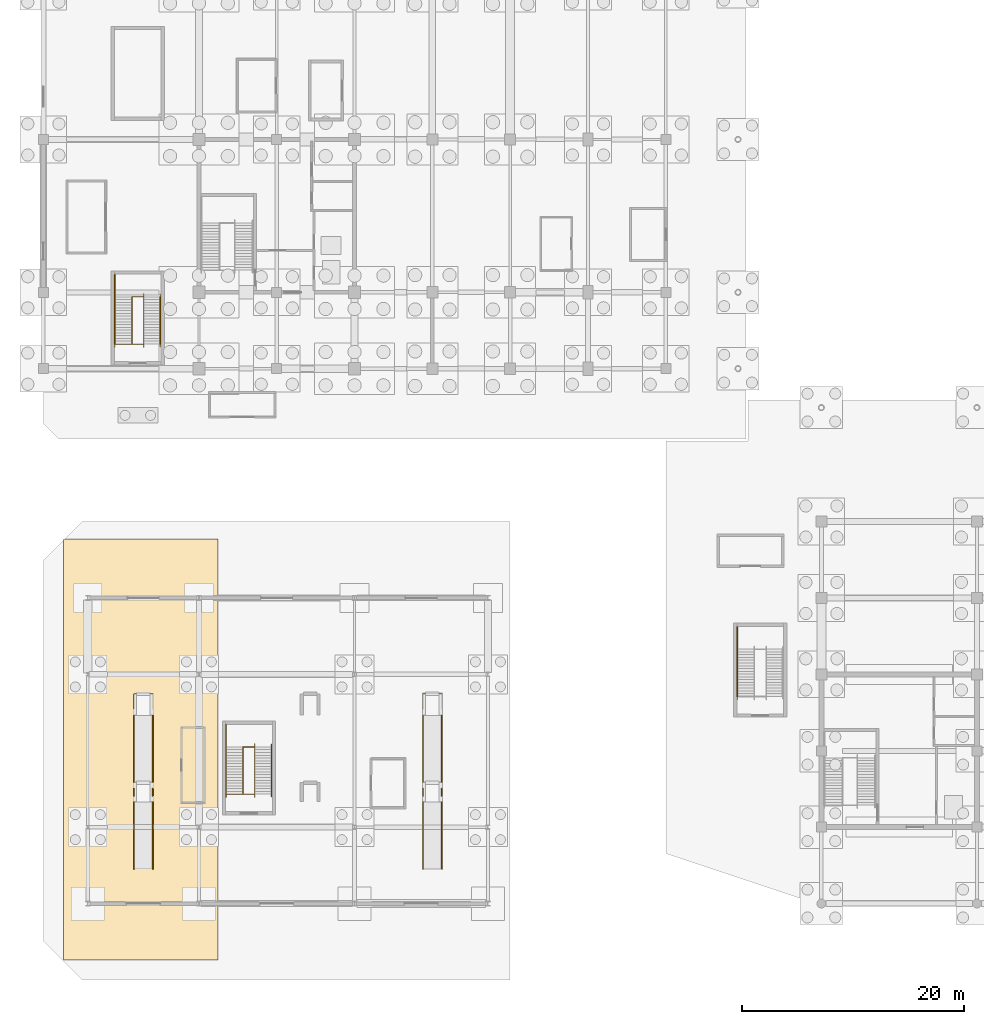
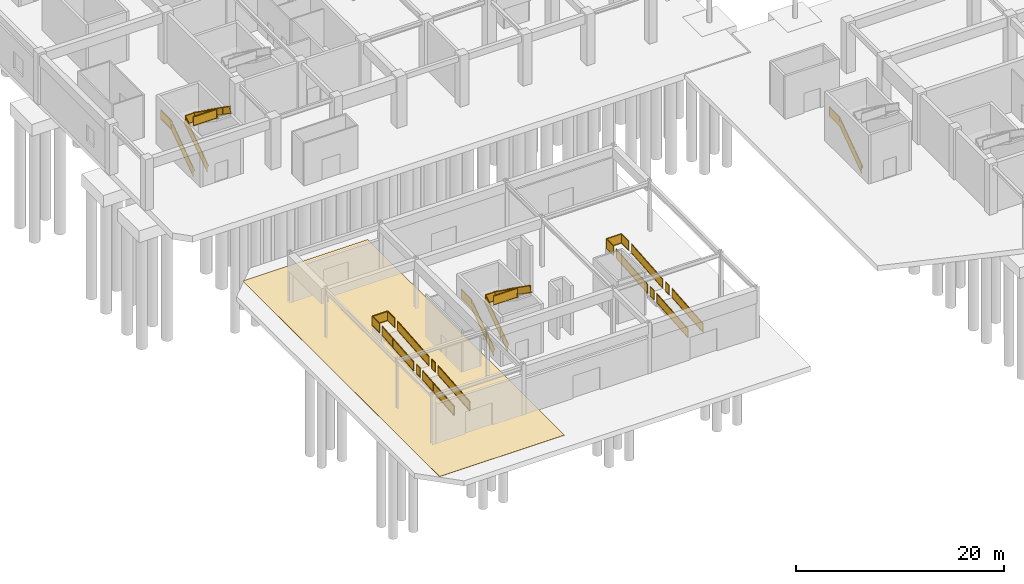
# One storey, part 55 of 62: 21 railings, 1 covering.
"""IFC4 building model written with IfcOpenShell, lengths in metres."""

from ifc_helpers import new_model, si_unit, direction, frame, origin, origin_2d, place, context, subcontext, project, spatial, polyline, rectangle, outline, extrude, material, layer, layer_set, type_object, element, save


model = new_model("IFC4")

# Units and contexts
model_context = context("Model", 3, precision=1e-05, world=origin(), true_north=direction((0.0, 1.0)))
body_context = subcontext(model_context, "Body", "Model", "MODEL_VIEW")
ifc_project = project(units=[si_unit("LENGTHUNIT", "METRE"), si_unit("AREAUNIT", "SQUARE_METRE"), si_unit("VOLUMEUNIT", "CUBIC_METRE"), si_unit("PLANEANGLEUNIT", "RADIAN"), si_unit("MASSUNIT", "GRAM", prefix="KILO")], contexts=[model_context])

# Site, building, storey
site_placement = place(None, origin())
site = spatial("IfcSite", under=ifc_project, at=site_placement, CompositionType="ELEMENT")
building_placement = place(site_placement, origin())
building = spatial("IfcBuilding", under=site, at=building_placement, Name="Linyun Crest Stadium", CompositionType="ELEMENT")
storey_placement = place(building_placement, frame((0.0, 0.0, -6.0)))
storey = spatial("IfcBuildingStorey", under=building, at=storey_placement, Name="B1", CompositionType="ELEMENT", Elevation=-6.0)

# Covering
ifc_material_1 = material(Name="Polymeric cushioned multi-sport athletic flooring")
ifc_layer = layer(ifc_material_1, 0.01806640625)
ifc_layer_set = layer_set([ifc_layer], Name="Polymeric cushioned multi-sport athletic flooring")
covering_type = type_object("IfcCoveringType", Name="FLR01", PredefinedType="FLOORING", material=ifc_layer_set)
covering_placement = place(storey_placement, origin())
element("IfcCovering", 1, at=covering_placement, inside=storey, type_object=covering_type, Name="Athletic flooring FLR01 7", PredefinedType="FLOORING", context=body_context, shape_type="SweptSolid", body=[
    extrude(outline(polyline([(-96.199951171875, -99.199951171875), (-82.300048828125, -99.199951171875), (-82.300048828125, -61.300048828125), (-96.199951171875, -61.300048828125), (-96.199951171875, -99.199951171875)])), origin(), (0.0, 0.0, 1.0), 0.01806640625),
])

# Railings
ifc_material_2 = material(Name="Verdigris painted steel botanical balustrade", Category="steel")
railing_type_1 = type_object("IfcRailingType", Name="GR01", PredefinedType="BALUSTRADE", material=ifc_material_2)
railing_1_placement = place(storey_placement, frame((-89.840087890625, -84.422119140625, 0.5)))
element("IfcRailing", 2, at=railing_1_placement, inside=storey, type_object=railing_type_1, Name="Slab edge balustrade GR01 388", PredefinedType="BALUSTRADE", context=body_context, shape_type="SweptSolid", body=[
    extrude(rectangle(XDim=0.06005859375, YDim=0.06005859375, at=origin_2d()), frame((0.0, 0.0, 1.119873046875), z_axis=(0.0, 1.0, 0.0), x_axis=(-1.0, 0.0, 0.0)), (0.0, 0.0, 1.0), 0.64404296875),
    extrude(rectangle(XDim=0.030029296875, YDim=1.02978515625, at=origin_2d()), frame((0.0, 0.0, 0.574951171875), z_axis=(0.0, 1.0, 0.0), x_axis=(-1.0, 0.0, 0.0)), (0.0, 0.0, 1.0), 0.64404296875),
    extrude(rectangle(XDim=0.06005859375, YDim=0.06005859375, at=origin_2d()), frame((0.0, 0.0, 0.030029296875), z_axis=(0.0, 1.0, 0.0), x_axis=(-1.0, 0.0, 0.0)), (0.0, 0.0, 1.0), 0.64404296875),
    extrude(rectangle(XDim=0.050048828125, YDim=0.050048828125, at=origin_2d()), origin(), (0.0, 0.0, 1.0), 1.14990234375),
    extrude(rectangle(XDim=0.050048828125, YDim=0.050048828125, at=origin_2d()), frame((0.0, 0.64404296875, 0.0)), (0.0, 0.0, 1.0), 1.14990234375),
])
railing_2_placement = place(storey_placement, frame((-88.159912109375, -83.778076171875, 0.5)))
element("IfcRailing", 3, at=railing_2_placement, inside=storey, type_object=railing_type_1, Name="Slab edge balustrade GR01 389", PredefinedType="BALUSTRADE", context=body_context, shape_type="SweptSolid", body=[
    extrude(rectangle(XDim=0.06005859375, YDim=0.06005859375, at=origin_2d()), frame((0.0, 0.0, 1.119873046875), z_axis=(0.0, -1.0, 0.0), x_axis=(1.0, 0.0, 0.0)), (0.0, 0.0, 1.0), 0.64404296875),
    extrude(rectangle(XDim=0.030029296875, YDim=1.02978515625, at=origin_2d()), frame((0.0, 0.0, 0.574951171875), z_axis=(0.0, -1.0, 0.0), x_axis=(1.0, 0.0, 0.0)), (0.0, 0.0, 1.0), 0.64404296875),
    extrude(rectangle(XDim=0.06005859375, YDim=0.06005859375, at=origin_2d()), frame((0.0, 0.0, 0.030029296875), z_axis=(0.0, -1.0, 0.0), x_axis=(1.0, 0.0, 0.0)), (0.0, 0.0, 1.0), 0.64404296875),
    extrude(rectangle(XDim=0.050048828125, YDim=0.050048828125, at=origin_2d()), origin(), (0.0, 0.0, 1.0), 1.14990234375),
    extrude(rectangle(XDim=0.050048828125, YDim=0.050048828125, at=origin_2d()), frame((0.0, -0.64404296875, 0.0)), (0.0, 0.0, 1.0), 1.14990234375),
])
railing_3_placement = place(storey_placement, frame((-89.840087890625, -76.6220703125, 1.0)))
element("IfcRailing", 4, at=railing_3_placement, inside=storey, type_object=railing_type_1, Name="Slab edge balustrade GR01 390", PredefinedType="BALUSTRADE", context=body_context, shape_type="SweptSolid", body=[
    extrude(rectangle(XDim=0.06005859375, YDim=0.06005859375, at=origin_2d()), frame((0.0, 0.0, 1.119873046875), z_axis=(0.0, 1.0, 0.0), x_axis=(-1.0, 0.0, 0.0)), (0.0, 0.0, 1.0), 1.362060546875),
    extrude(rectangle(XDim=0.030029296875, YDim=1.02978515625, at=origin_2d()), frame((0.0, 0.0, 0.574951171875), z_axis=(0.0, 1.0, 0.0), x_axis=(-1.0, 0.0, 0.0)), (0.0, 0.0, 1.0), 1.362060546875),
    extrude(rectangle(XDim=0.06005859375, YDim=0.06005859375, at=origin_2d()), frame((0.0, 0.0, 0.030029296875), z_axis=(0.0, 1.0, 0.0), x_axis=(-1.0, 0.0, 0.0)), (0.0, 0.0, 1.0), 1.362060546875),
    extrude(rectangle(XDim=0.06005859375, YDim=0.06005859375, at=origin_2d()), frame((0.0, 1.362060546875, 1.119873046875), z_axis=(1.0, 0.0, 0.0), x_axis=(0.0, 1.0, 0.0)), (0.0, 0.0, 1.0), 1.68017578125),
    extrude(rectangle(XDim=0.030029296875, YDim=1.02978515625, at=origin_2d()), frame((0.0, 1.362060546875, 0.574951171875), z_axis=(1.0, 0.0, 0.0), x_axis=(0.0, 1.0, 0.0)), (0.0, 0.0, 1.0), 1.68017578125),
    extrude(rectangle(XDim=0.06005859375, YDim=0.06005859375, at=origin_2d()), frame((0.0, 1.362060546875, 0.030029296875), z_axis=(1.0, 0.0, 0.0), x_axis=(0.0, 1.0, 0.0)), (0.0, 0.0, 1.0), 1.68017578125),
    extrude(rectangle(XDim=0.06005859375, YDim=0.06005859375, at=origin_2d()), frame((1.68017578125, 1.362060546875, 1.119873046875), z_axis=(0.0, -1.0, 0.0), x_axis=(1.0, 0.0, 0.0)), (0.0, 0.0, 1.0), 1.362060546875),
    extrude(rectangle(XDim=0.030029296875, YDim=1.02978515625, at=origin_2d()), frame((1.68017578125, 1.362060546875, 0.574951171875), z_axis=(0.0, -1.0, 0.0), x_axis=(1.0, 0.0, 0.0)), (0.0, 0.0, 1.0), 1.362060546875),
    extrude(rectangle(XDim=0.06005859375, YDim=0.06005859375, at=origin_2d()), frame((1.68017578125, 1.362060546875, 0.030029296875), z_axis=(0.0, -1.0, 0.0), x_axis=(1.0, 0.0, 0.0)), (0.0, 0.0, 1.0), 1.362060546875),
    extrude(rectangle(XDim=0.050048828125, YDim=0.050048828125, at=origin_2d()), origin(), (0.0, 0.0, 1.0), 1.14990234375),
    extrude(rectangle(XDim=0.050048828125, YDim=0.050048828125, at=origin_2d()), frame((0.0, 1.362060546875, 0.0)), (0.0, 0.0, 1.0), 1.14990234375),
    extrude(rectangle(XDim=0.050048828125, YDim=0.050048828125, at=origin_2d()), frame((1.68017578125, 1.362060546875, 0.0)), (0.0, 0.0, 1.0), 1.14990234375),
    extrude(rectangle(XDim=0.050048828125, YDim=0.050048828125, at=origin_2d()), frame((1.68017578125, 0.0, 0.0)), (0.0, 0.0, 1.0), 1.14990234375),
])
railing_4_placement = place(storey_placement, frame((-63.840087890625, -84.422119140625, 0.5)))
element("IfcRailing", 5, at=railing_4_placement, inside=storey, type_object=railing_type_1, Name="Slab edge balustrade GR01 391", PredefinedType="BALUSTRADE", context=body_context, shape_type="SweptSolid", body=[
    extrude(rectangle(XDim=0.06005859375, YDim=0.06005859375, at=origin_2d()), frame((0.0, 0.0, 1.119873046875), z_axis=(0.0, 1.0, 0.0), x_axis=(-1.0, 0.0, 0.0)), (0.0, 0.0, 1.0), 0.64404296875),
    extrude(rectangle(XDim=0.030029296875, YDim=1.02978515625, at=origin_2d()), frame((0.0, 0.0, 0.574951171875), z_axis=(0.0, 1.0, 0.0), x_axis=(-1.0, 0.0, 0.0)), (0.0, 0.0, 1.0), 0.64404296875),
    extrude(rectangle(XDim=0.06005859375, YDim=0.06005859375, at=origin_2d()), frame((0.0, 0.0, 0.030029296875), z_axis=(0.0, 1.0, 0.0), x_axis=(-1.0, 0.0, 0.0)), (0.0, 0.0, 1.0), 0.64404296875),
    extrude(rectangle(XDim=0.050048828125, YDim=0.050048828125, at=origin_2d()), origin(), (0.0, 0.0, 1.0), 1.14990234375),
    extrude(rectangle(XDim=0.050048828125, YDim=0.050048828125, at=origin_2d()), frame((0.0, 0.64404296875, 0.0)), (0.0, 0.0, 1.0), 1.14990234375),
])
railing_5_placement = place(storey_placement, frame((-62.159912109375, -83.778076171875, 0.5)))
element("IfcRailing", 6, at=railing_5_placement, inside=storey, type_object=railing_type_1, Name="Slab edge balustrade GR01 392", PredefinedType="BALUSTRADE", context=body_context, shape_type="SweptSolid", body=[
    extrude(rectangle(XDim=0.06005859375, YDim=0.06005859375, at=origin_2d()), frame((0.0, 0.0, 1.119873046875), z_axis=(0.0, -1.0, 0.0), x_axis=(1.0, 0.0, 0.0)), (0.0, 0.0, 1.0), 0.64404296875),
    extrude(rectangle(XDim=0.030029296875, YDim=1.02978515625, at=origin_2d()), frame((0.0, 0.0, 0.574951171875), z_axis=(0.0, -1.0, 0.0), x_axis=(1.0, 0.0, 0.0)), (0.0, 0.0, 1.0), 0.64404296875),
    extrude(rectangle(XDim=0.06005859375, YDim=0.06005859375, at=origin_2d()), frame((0.0, 0.0, 0.030029296875), z_axis=(0.0, -1.0, 0.0), x_axis=(1.0, 0.0, 0.0)), (0.0, 0.0, 1.0), 0.64404296875),
    extrude(rectangle(XDim=0.050048828125, YDim=0.050048828125, at=origin_2d()), origin(), (0.0, 0.0, 1.0), 1.14990234375),
    extrude(rectangle(XDim=0.050048828125, YDim=0.050048828125, at=origin_2d()), frame((0.0, -0.64404296875, 0.0)), (0.0, 0.0, 1.0), 1.14990234375),
])
railing_6_placement = place(storey_placement, frame((-63.840087890625, -76.6220703125, 1.0)))
element("IfcRailing", 7, at=railing_6_placement, inside=storey, type_object=railing_type_1, Name="Slab edge balustrade GR01 393", PredefinedType="BALUSTRADE", context=body_context, shape_type="SweptSolid", body=[
    extrude(rectangle(XDim=0.06005859375, YDim=0.06005859375, at=origin_2d()), frame((0.0, 0.0, 1.119873046875), z_axis=(0.0, 1.0, 0.0), x_axis=(-1.0, 0.0, 0.0)), (0.0, 0.0, 1.0), 1.362060546875),
    extrude(rectangle(XDim=0.030029296875, YDim=1.02978515625, at=origin_2d()), frame((0.0, 0.0, 0.574951171875), z_axis=(0.0, 1.0, 0.0), x_axis=(-1.0, 0.0, 0.0)), (0.0, 0.0, 1.0), 1.362060546875),
    extrude(rectangle(XDim=0.06005859375, YDim=0.06005859375, at=origin_2d()), frame((0.0, 0.0, 0.030029296875), z_axis=(0.0, 1.0, 0.0), x_axis=(-1.0, 0.0, 0.0)), (0.0, 0.0, 1.0), 1.362060546875),
    extrude(rectangle(XDim=0.06005859375, YDim=0.06005859375, at=origin_2d()), frame((0.0, 1.362060546875, 1.119873046875), z_axis=(1.0, 0.0, 0.0), x_axis=(0.0, 1.0, 0.0)), (0.0, 0.0, 1.0), 1.68017578125),
    extrude(rectangle(XDim=0.030029296875, YDim=1.02978515625, at=origin_2d()), frame((0.0, 1.362060546875, 0.574951171875), z_axis=(1.0, 0.0, 0.0), x_axis=(0.0, 1.0, 0.0)), (0.0, 0.0, 1.0), 1.68017578125),
    extrude(rectangle(XDim=0.06005859375, YDim=0.06005859375, at=origin_2d()), frame((0.0, 1.362060546875, 0.030029296875), z_axis=(1.0, 0.0, 0.0), x_axis=(0.0, 1.0, 0.0)), (0.0, 0.0, 1.0), 1.68017578125),
    extrude(rectangle(XDim=0.06005859375, YDim=0.06005859375, at=origin_2d()), frame((1.68017578125, 1.362060546875, 1.119873046875), z_axis=(0.0, -1.0, 0.0), x_axis=(1.0, 0.0, 0.0)), (0.0, 0.0, 1.0), 1.362060546875),
    extrude(rectangle(XDim=0.030029296875, YDim=1.02978515625, at=origin_2d()), frame((1.68017578125, 1.362060546875, 0.574951171875), z_axis=(0.0, -1.0, 0.0), x_axis=(1.0, 0.0, 0.0)), (0.0, 0.0, 1.0), 1.362060546875),
    extrude(rectangle(XDim=0.06005859375, YDim=0.06005859375, at=origin_2d()), frame((1.68017578125, 1.362060546875, 0.030029296875), z_axis=(0.0, -1.0, 0.0), x_axis=(1.0, 0.0, 0.0)), (0.0, 0.0, 1.0), 1.362060546875),
    extrude(rectangle(XDim=0.050048828125, YDim=0.050048828125, at=origin_2d()), origin(), (0.0, 0.0, 1.0), 1.14990234375),
    extrude(rectangle(XDim=0.050048828125, YDim=0.050048828125, at=origin_2d()), frame((0.0, 1.362060546875, 0.0)), (0.0, 0.0, 1.0), 1.14990234375),
    extrude(rectangle(XDim=0.050048828125, YDim=0.050048828125, at=origin_2d()), frame((1.68017578125, 1.362060546875, 0.0)), (0.0, 0.0, 1.0), 1.14990234375),
    extrude(rectangle(XDim=0.050048828125, YDim=0.050048828125, at=origin_2d()), frame((1.68017578125, 0.0, 0.0)), (0.0, 0.0, 1.0), 1.14990234375),
])
ifc_material_3 = material(Name="Painted steel stairwell safety guard", Category="steel")
railing_type_2 = type_object("IfcRailingType", Name="GR03", PredefinedType="GUARDRAIL", material=ifc_material_3)
railing_7_placement = place(storey_placement, frame((-91.570068359375, -43.780029296875, 0.0)))
element("IfcRailing", 8, at=railing_7_placement, inside=storey, type_object=railing_type_2, Name="STR-13-B1 outer guard", PredefinedType="GUARDRAIL", context=body_context, shape_type="SweptSolid", body=[
    extrude(rectangle(XDim=0.06005859375, YDim=0.06005859375, at=origin_2d()), frame((0.0, 0.0, 1.090087890625), z_axis=(0.0, 0.816967863265, 0.576683197599), x_axis=(-1.0, 0.0, 0.0)), (0.0, 0.0, 1.0), 5.2021484375),
    extrude(rectangle(XDim=0.030029296875, YDim=1.0, at=origin_2d()), frame((0.0, 0.0, 0.56005859375), z_axis=(0.0, 0.816967863265, 0.576683197599), x_axis=(-1.0, 0.0, 0.0)), (0.0, 0.0, 1.0), 5.2021484375),
    extrude(rectangle(XDim=0.06005859375, YDim=0.06005859375, at=origin_2d()), frame((0.0, 0.0, 0.030029296875), z_axis=(0.0, 0.816967863265, 0.576683197599), x_axis=(-1.0, 0.0, 0.0)), (0.0, 0.0, 1.0), 5.2021484375),
    extrude(rectangle(XDim=0.06005859375, YDim=0.06005859375, at=origin_2d()), frame((0.0, 4.25, 4.090087890625), z_axis=(0.0, 1.0, 0.0), x_axis=(-1.0, 0.0, 0.0)), (0.0, 0.0, 1.0), 2.0),
    extrude(rectangle(XDim=0.030029296875, YDim=1.0, at=origin_2d()), frame((0.0, 4.25, 3.56005859375), z_axis=(0.0, 1.0, 0.0), x_axis=(-1.0, 0.0, 0.0)), (0.0, 0.0, 1.0), 2.0),
    extrude(rectangle(XDim=0.06005859375, YDim=0.06005859375, at=origin_2d()), frame((0.0, 4.25, 3.030029296875), z_axis=(0.0, 1.0, 0.0), x_axis=(-1.0, 0.0, 0.0)), (0.0, 0.0, 1.0), 2.0),
    extrude(rectangle(XDim=0.050048828125, YDim=0.050048828125, at=origin_2d()), origin(), (0.0, 0.0, 1.0), 1.1201171875),
    extrude(rectangle(XDim=0.050048828125, YDim=0.050048828125, at=origin_2d()), frame((0.0, 1.416748046875, 1.0)), (0.0, 0.0, 1.0), 1.1201171875),
    extrude(rectangle(XDim=0.050048828125, YDim=0.050048828125, at=origin_2d()), frame((0.0, 2.833251953125, 2.0)), (0.0, 0.0, 1.0), 1.1201171875),
    extrude(rectangle(XDim=0.050048828125, YDim=0.050048828125, at=origin_2d()), frame((0.0, 4.25, 3.0)), (0.0, 0.0, 1.0), 1.1201171875),
    extrude(rectangle(XDim=0.050048828125, YDim=0.050048828125, at=origin_2d()), frame((0.0, 6.25, 3.0)), (0.0, 0.0, 1.0), 1.1201171875),
])
railing_8_placement = place(storey_placement, frame((-90.030029296875, -43.800048828125, 0.0)))
element("IfcRailing", 9, at=railing_8_placement, inside=storey, type_object=railing_type_2, Name="STR-13-B1 inner well guard", PredefinedType="GUARDRAIL", context=body_context, shape_type="SweptSolid", body=[
    extrude(rectangle(XDim=0.06005859375, YDim=0.06005859375, at=origin_2d()), frame((0.0, 0.0, 1.090087890625), z_axis=(0.0, 0.818241657069, 0.574874412926), x_axis=(-1.0, 0.0, 0.0)), (0.0, 0.0, 1.0), 5.218505859375),
    extrude(rectangle(XDim=0.030029296875, YDim=1.0, at=origin_2d()), frame((0.0, 0.0, 0.56005859375), z_axis=(0.0, 0.818241657069, 0.574874412926), x_axis=(-1.0, 0.0, 0.0)), (0.0, 0.0, 1.0), 5.218505859375),
    extrude(rectangle(XDim=0.06005859375, YDim=0.06005859375, at=origin_2d()), frame((0.0, 0.0, 0.030029296875), z_axis=(0.0, 0.818241657069, 0.574874412926), x_axis=(-1.0, 0.0, 0.0)), (0.0, 0.0, 1.0), 5.218505859375),
    extrude(rectangle(XDim=0.06005859375, YDim=0.06005859375, at=origin_2d()), frame((0.0, 4.27001953125, 4.090087890625), z_axis=(1.0, 0.0, 0.0), x_axis=(0.0, 1.0, 0.0)), (0.0, 0.0, 1.0), 1.06005859375),
    extrude(rectangle(XDim=0.030029296875, YDim=1.0, at=origin_2d()), frame((0.0, 4.27001953125, 3.56005859375), z_axis=(1.0, 0.0, 0.0), x_axis=(0.0, 1.0, 0.0)), (0.0, 0.0, 1.0), 1.06005859375),
    extrude(rectangle(XDim=0.06005859375, YDim=0.06005859375, at=origin_2d()), frame((0.0, 4.27001953125, 3.030029296875), z_axis=(1.0, 0.0, 0.0), x_axis=(0.0, 1.0, 0.0)), (0.0, 0.0, 1.0), 1.06005859375),
    extrude(rectangle(XDim=0.06005859375, YDim=0.06005859375, at=origin_2d()), frame((1.06005859375, 4.27001953125, 4.090087890625), z_axis=(0.0, -0.818241657069, 0.574874412926), x_axis=(1.0, 0.0, 0.0)), (0.0, 0.0, 1.0), 5.218505859375),
    extrude(rectangle(XDim=0.030029296875, YDim=1.0, at=origin_2d()), frame((1.06005859375, 4.27001953125, 3.56005859375), z_axis=(0.0, -0.818241657069, 0.574874412926), x_axis=(1.0, 0.0, 0.0)), (0.0, 0.0, 1.0), 5.218505859375),
    extrude(rectangle(XDim=0.06005859375, YDim=0.06005859375, at=origin_2d()), frame((1.06005859375, 4.27001953125, 3.030029296875), z_axis=(0.0, -0.818241657069, 0.574874412926), x_axis=(1.0, 0.0, 0.0)), (0.0, 0.0, 1.0), 5.218505859375),
    extrude(rectangle(XDim=0.06005859375, YDim=0.06005859375, at=origin_2d()), frame((1.06005859375, 0.0, 7.090087890625), z_axis=(-1.0, 0.0, 0.0), x_axis=(0.0, -1.0, 0.0)), (0.0, 0.0, 1.0), 2.610107421875),
    extrude(rectangle(XDim=0.030029296875, YDim=1.0, at=origin_2d()), frame((1.06005859375, 0.0, 6.56005859375), z_axis=(-1.0, 0.0, 0.0), x_axis=(0.0, -1.0, 0.0)), (0.0, 0.0, 1.0), 2.610107421875),
    extrude(rectangle(XDim=0.06005859375, YDim=0.06005859375, at=origin_2d()), frame((1.06005859375, 0.0, 6.030029296875), z_axis=(-1.0, 0.0, 0.0), x_axis=(0.0, -1.0, 0.0)), (0.0, 0.0, 1.0), 2.610107421875),
    extrude(rectangle(XDim=0.050048828125, YDim=0.050048828125, at=origin_2d()), origin(), (0.0, 0.0, 1.0), 1.1201171875),
    extrude(rectangle(XDim=0.050048828125, YDim=0.050048828125, at=origin_2d()), frame((0.0, 1.42333984375, 1.0)), (0.0, 0.0, 1.0), 1.1201171875),
    extrude(rectangle(XDim=0.050048828125, YDim=0.050048828125, at=origin_2d()), frame((0.0, 2.8466796875, 2.0)), (0.0, 0.0, 1.0), 1.1201171875),
    extrude(rectangle(XDim=0.050048828125, YDim=0.050048828125, at=origin_2d()), frame((0.0, 4.27001953125, 3.0)), (0.0, 0.0, 1.0), 1.1201171875),
    extrude(rectangle(XDim=0.050048828125, YDim=0.050048828125, at=origin_2d()), frame((1.06005859375, 4.27001953125, 3.0)), (0.0, 0.0, 1.0), 1.1201171875),
    extrude(rectangle(XDim=0.050048828125, YDim=0.050048828125, at=origin_2d()), frame((1.06005859375, 2.8466796875, 4.0)), (0.0, 0.0, 1.0), 1.1201171875),
    extrude(rectangle(XDim=0.050048828125, YDim=0.050048828125, at=origin_2d()), frame((1.06005859375, 1.42333984375, 5.0)), (0.0, 0.0, 1.0), 1.1201171875),
    extrude(rectangle(XDim=0.050048828125, YDim=0.050048828125, at=origin_2d()), frame((1.06005859375, 0.0, 6.0)), (0.0, 0.0, 1.0), 1.1201171875),
    extrude(rectangle(XDim=0.050048828125, YDim=0.050048828125, at=origin_2d()), frame((-0.2451171875, 0.0, 6.0)), (0.0, 0.0, 1.0), 1.1201171875),
    extrude(rectangle(XDim=0.050048828125, YDim=0.050048828125, at=origin_2d()), frame((-1.550048828125, 0.0, 6.0)), (0.0, 0.0, 1.0), 1.1201171875),
])
railing_9_placement = place(storey_placement, frame((-35.570068359375, -75.47998046875, 0.0)))
element("IfcRailing", 10, at=railing_9_placement, inside=storey, type_object=railing_type_2, Name="STR-27-B1 outer guard", PredefinedType="GUARDRAIL", context=body_context, shape_type="SweptSolid", body=[
    extrude(rectangle(XDim=0.06005859375, YDim=0.06005859375, at=origin_2d()), frame((0.0, 0.0, 1.090087890625), z_axis=(0.0, 0.816967863265, 0.576683197599), x_axis=(-1.0, 0.0, 0.0)), (0.0, 0.0, 1.0), 5.2021484375),
    extrude(rectangle(XDim=0.030029296875, YDim=1.0, at=origin_2d()), frame((0.0, 0.0, 0.56005859375), z_axis=(0.0, 0.816967863265, 0.576683197599), x_axis=(-1.0, 0.0, 0.0)), (0.0, 0.0, 1.0), 5.2021484375),
    extrude(rectangle(XDim=0.06005859375, YDim=0.06005859375, at=origin_2d()), frame((0.0, 0.0, 0.030029296875), z_axis=(0.0, 0.816967863265, 0.576683197599), x_axis=(-1.0, 0.0, 0.0)), (0.0, 0.0, 1.0), 5.2021484375),
    extrude(rectangle(XDim=0.06005859375, YDim=0.06005859375, at=origin_2d()), frame((0.0, 4.25, 4.090087890625), z_axis=(0.0, 1.0, 0.0), x_axis=(-1.0, 0.0, 0.0)), (0.0, 0.0, 1.0), 2.0),
    extrude(rectangle(XDim=0.030029296875, YDim=1.0, at=origin_2d()), frame((0.0, 4.25, 3.56005859375), z_axis=(0.0, 1.0, 0.0), x_axis=(-1.0, 0.0, 0.0)), (0.0, 0.0, 1.0), 2.0),
    extrude(rectangle(XDim=0.06005859375, YDim=0.06005859375, at=origin_2d()), frame((0.0, 4.25, 3.030029296875), z_axis=(0.0, 1.0, 0.0), x_axis=(-1.0, 0.0, 0.0)), (0.0, 0.0, 1.0), 2.0),
    extrude(rectangle(XDim=0.050048828125, YDim=0.050048828125, at=origin_2d()), origin(), (0.0, 0.0, 1.0), 1.1201171875),
    extrude(rectangle(XDim=0.050048828125, YDim=0.050048828125, at=origin_2d()), frame((0.0, 1.416748046875, 1.0)), (0.0, 0.0, 1.0), 1.1201171875),
    extrude(rectangle(XDim=0.050048828125, YDim=0.050048828125, at=origin_2d()), frame((0.0, 2.833251953125, 2.0)), (0.0, 0.0, 1.0), 1.1201171875),
    extrude(rectangle(XDim=0.050048828125, YDim=0.050048828125, at=origin_2d()), frame((0.0, 4.25, 3.0)), (0.0, 0.0, 1.0), 1.1201171875),
    extrude(rectangle(XDim=0.050048828125, YDim=0.050048828125, at=origin_2d()), frame((0.0, 6.25, 3.0)), (0.0, 0.0, 1.0), 1.1201171875),
])
railing_10_placement = place(storey_placement, frame((-81.570068359375, -84.280029296875, 0.0)))
element("IfcRailing", 11, at=railing_10_placement, inside=storey, type_object=railing_type_2, Name="STR-30-B1 outer guard", PredefinedType="GUARDRAIL", context=body_context, shape_type="SweptSolid", body=[
    extrude(rectangle(XDim=0.06005859375, YDim=0.06005859375, at=origin_2d()), frame((0.0, 0.0, 1.090087890625), z_axis=(0.0, 0.816967863265, 0.576683197599), x_axis=(-1.0, 0.0, 0.0)), (0.0, 0.0, 1.0), 5.2021484375),
    extrude(rectangle(XDim=0.030029296875, YDim=1.0, at=origin_2d()), frame((0.0, 0.0, 0.56005859375), z_axis=(0.0, 0.816967863265, 0.576683197599), x_axis=(-1.0, 0.0, 0.0)), (0.0, 0.0, 1.0), 5.2021484375),
    extrude(rectangle(XDim=0.06005859375, YDim=0.06005859375, at=origin_2d()), frame((0.0, 0.0, 0.030029296875), z_axis=(0.0, 0.816967863265, 0.576683197599), x_axis=(-1.0, 0.0, 0.0)), (0.0, 0.0, 1.0), 5.2021484375),
    extrude(rectangle(XDim=0.06005859375, YDim=0.06005859375, at=origin_2d()), frame((0.0, 4.25, 4.090087890625), z_axis=(0.0, 1.0, 0.0), x_axis=(-1.0, 0.0, 0.0)), (0.0, 0.0, 1.0), 2.0),
    extrude(rectangle(XDim=0.030029296875, YDim=1.0, at=origin_2d()), frame((0.0, 4.25, 3.56005859375), z_axis=(0.0, 1.0, 0.0), x_axis=(-1.0, 0.0, 0.0)), (0.0, 0.0, 1.0), 2.0),
    extrude(rectangle(XDim=0.06005859375, YDim=0.06005859375, at=origin_2d()), frame((0.0, 4.25, 3.030029296875), z_axis=(0.0, 1.0, 0.0), x_axis=(-1.0, 0.0, 0.0)), (0.0, 0.0, 1.0), 2.0),
    extrude(rectangle(XDim=0.050048828125, YDim=0.050048828125, at=origin_2d()), origin(), (0.0, 0.0, 1.0), 1.1201171875),
    extrude(rectangle(XDim=0.050048828125, YDim=0.050048828125, at=origin_2d()), frame((0.0, 1.416748046875, 1.0)), (0.0, 0.0, 1.0), 1.1201171875),
    extrude(rectangle(XDim=0.050048828125, YDim=0.050048828125, at=origin_2d()), frame((0.0, 2.833251953125, 2.0)), (0.0, 0.0, 1.0), 1.1201171875),
    extrude(rectangle(XDim=0.050048828125, YDim=0.050048828125, at=origin_2d()), frame((0.0, 4.25, 3.0)), (0.0, 0.0, 1.0), 1.1201171875),
    extrude(rectangle(XDim=0.050048828125, YDim=0.050048828125, at=origin_2d()), frame((0.0, 6.25, 3.0)), (0.0, 0.0, 1.0), 1.1201171875),
])
railing_11_placement = place(storey_placement, frame((-80.030029296875, -84.300048828125, 0.0)))
element("IfcRailing", 12, at=railing_11_placement, inside=storey, type_object=railing_type_2, Name="STR-30-B1 inner well guard", PredefinedType="GUARDRAIL", context=body_context, shape_type="SweptSolid", body=[
    extrude(rectangle(XDim=0.06005859375, YDim=0.06005859375, at=origin_2d()), frame((0.0, 0.0, 1.090087890625), z_axis=(0.0, 0.818241657069, 0.574874412926), x_axis=(-1.0, 0.0, 0.0)), (0.0, 0.0, 1.0), 5.218505859375),
    extrude(rectangle(XDim=0.030029296875, YDim=1.0, at=origin_2d()), frame((0.0, 0.0, 0.56005859375), z_axis=(0.0, 0.818241657069, 0.574874412926), x_axis=(-1.0, 0.0, 0.0)), (0.0, 0.0, 1.0), 5.218505859375),
    extrude(rectangle(XDim=0.06005859375, YDim=0.06005859375, at=origin_2d()), frame((0.0, 0.0, 0.030029296875), z_axis=(0.0, 0.818241657069, 0.574874412926), x_axis=(-1.0, 0.0, 0.0)), (0.0, 0.0, 1.0), 5.218505859375),
    extrude(rectangle(XDim=0.06005859375, YDim=0.06005859375, at=origin_2d()), frame((0.0, 4.27001953125, 4.090087890625), z_axis=(1.0, 0.0, 0.0), x_axis=(0.0, 1.0, 0.0)), (0.0, 0.0, 1.0), 1.06005859375),
    extrude(rectangle(XDim=0.030029296875, YDim=1.0, at=origin_2d()), frame((0.0, 4.27001953125, 3.56005859375), z_axis=(1.0, 0.0, 0.0), x_axis=(0.0, 1.0, 0.0)), (0.0, 0.0, 1.0), 1.06005859375),
    extrude(rectangle(XDim=0.06005859375, YDim=0.06005859375, at=origin_2d()), frame((0.0, 4.27001953125, 3.030029296875), z_axis=(1.0, 0.0, 0.0), x_axis=(0.0, 1.0, 0.0)), (0.0, 0.0, 1.0), 1.06005859375),
    extrude(rectangle(XDim=0.06005859375, YDim=0.06005859375, at=origin_2d()), frame((1.06005859375, 4.27001953125, 4.090087890625), z_axis=(0.0, -0.818241657069, 0.574874412926), x_axis=(1.0, 0.0, 0.0)), (0.0, 0.0, 1.0), 5.218505859375),
    extrude(rectangle(XDim=0.030029296875, YDim=1.0, at=origin_2d()), frame((1.06005859375, 4.27001953125, 3.56005859375), z_axis=(0.0, -0.818241657069, 0.574874412926), x_axis=(1.0, 0.0, 0.0)), (0.0, 0.0, 1.0), 5.218505859375),
    extrude(rectangle(XDim=0.06005859375, YDim=0.06005859375, at=origin_2d()), frame((1.06005859375, 4.27001953125, 3.030029296875), z_axis=(0.0, -0.818241657069, 0.574874412926), x_axis=(1.0, 0.0, 0.0)), (0.0, 0.0, 1.0), 5.218505859375),
    extrude(rectangle(XDim=0.06005859375, YDim=0.06005859375, at=origin_2d()), frame((1.06005859375, 0.0, 7.090087890625), z_axis=(-1.0, 0.0, 0.0), x_axis=(0.0, -1.0, 0.0)), (0.0, 0.0, 1.0), 2.610107421875),
    extrude(rectangle(XDim=0.030029296875, YDim=1.0, at=origin_2d()), frame((1.06005859375, 0.0, 6.56005859375), z_axis=(-1.0, 0.0, 0.0), x_axis=(0.0, -1.0, 0.0)), (0.0, 0.0, 1.0), 2.610107421875),
    extrude(rectangle(XDim=0.06005859375, YDim=0.06005859375, at=origin_2d()), frame((1.06005859375, 0.0, 6.030029296875), z_axis=(-1.0, 0.0, 0.0), x_axis=(0.0, -1.0, 0.0)), (0.0, 0.0, 1.0), 2.610107421875),
    extrude(rectangle(XDim=0.050048828125, YDim=0.050048828125, at=origin_2d()), origin(), (0.0, 0.0, 1.0), 1.1201171875),
    extrude(rectangle(XDim=0.050048828125, YDim=0.050048828125, at=origin_2d()), frame((0.0, 1.42333984375, 1.0)), (0.0, 0.0, 1.0), 1.1201171875),
    extrude(rectangle(XDim=0.050048828125, YDim=0.050048828125, at=origin_2d()), frame((0.0, 2.8466796875, 2.0)), (0.0, 0.0, 1.0), 1.1201171875),
    extrude(rectangle(XDim=0.050048828125, YDim=0.050048828125, at=origin_2d()), frame((0.0, 4.27001953125, 3.0)), (0.0, 0.0, 1.0), 1.1201171875),
    extrude(rectangle(XDim=0.050048828125, YDim=0.050048828125, at=origin_2d()), frame((1.06005859375, 4.27001953125, 3.0)), (0.0, 0.0, 1.0), 1.1201171875),
    extrude(rectangle(XDim=0.050048828125, YDim=0.050048828125, at=origin_2d()), frame((1.06005859375, 2.8466796875, 4.0)), (0.0, 0.0, 1.0), 1.1201171875),
    extrude(rectangle(XDim=0.050048828125, YDim=0.050048828125, at=origin_2d()), frame((1.06005859375, 1.42333984375, 5.0)), (0.0, 0.0, 1.0), 1.1201171875),
    extrude(rectangle(XDim=0.050048828125, YDim=0.050048828125, at=origin_2d()), frame((1.06005859375, 0.0, 6.0)), (0.0, 0.0, 1.0), 1.1201171875),
    extrude(rectangle(XDim=0.050048828125, YDim=0.050048828125, at=origin_2d()), frame((-0.2451171875, 0.0, 6.0)), (0.0, 0.0, 1.0), 1.1201171875),
    extrude(rectangle(XDim=0.050048828125, YDim=0.050048828125, at=origin_2d()), frame((-1.550048828125, 0.0, 6.0)), (0.0, 0.0, 1.0), 1.1201171875),
])
for number, where, name in (
    (13, (-89.85009765625, -91.0, 0.0), "RMP-01 guard 1W"),
    (14, (-88.14990234375, -91.0, 0.0), "RMP-01 guard 1E"),
    (15, (-89.85009765625, -83.199951171875, 0.5), "RMP-01 guard 2W"),
    (16, (-88.14990234375, -83.199951171875, 0.5), "RMP-01 guard 2E"),
    (17, (-63.85009765625, -91.0, 0.0), "RMP-02 guard 1W"),
    (18, (-62.14990234375, -91.0, 0.0), "RMP-02 guard 1E"),
    (19, (-63.85009765625, -83.199951171875, 0.5), "RMP-02 guard 2W"),
    (20, (-62.14990234375, -83.199951171875, 0.5), "RMP-02 guard 2E"),
):
    element("IfcRailing", number, at=place(storey_placement, frame(where)), inside=storey, type_object=railing_type_2, Name=name, PredefinedType="GUARDRAIL", context=body_context, shape_type="SweptSolid", body=[
        extrude(rectangle(XDim=0.06005859375, YDim=0.06005859375, at=origin_2d()), frame((0.0, 0.0, 1.090087890625), z_axis=(0.0, 0.996545758245, 0.083045479854), x_axis=(-1.0, 0.0, 0.0)), (0.0, 0.0, 1.0), 6.020751953125),
        extrude(rectangle(XDim=0.030029296875, YDim=1.0, at=origin_2d()), frame((0.0, 0.0, 0.56005859375), z_axis=(0.0, 0.996545758245, 0.083045479854), x_axis=(-1.0, 0.0, 0.0)), (0.0, 0.0, 1.0), 6.020751953125),
        extrude(rectangle(XDim=0.06005859375, YDim=0.06005859375, at=origin_2d()), frame((0.0, 0.0, 0.030029296875), z_axis=(0.0, 0.996545758245, 0.083045479854), x_axis=(-1.0, 0.0, 0.0)), (0.0, 0.0, 1.0), 6.020751953125),
        extrude(rectangle(XDim=0.050048828125, YDim=0.050048828125, at=origin_2d()), origin(), (0.0, 0.0, 1.0), 1.1201171875),
        extrude(rectangle(XDim=0.050048828125, YDim=0.050048828125, at=origin_2d()), frame((0.0, 2.0, 0.166748046875)), (0.0, 0.0, 1.0), 1.1201171875),
        extrude(rectangle(XDim=0.050048828125, YDim=0.050048828125, at=origin_2d()), frame((0.0, 4.0, 0.333251953125)), (0.0, 0.0, 1.0), 1.1201171875),
        extrude(rectangle(XDim=0.050048828125, YDim=0.050048828125, at=origin_2d()), frame((0.0, 6.0, 0.5)), (0.0, 0.0, 1.0), 1.1201171875),
    ])
ifc_material_4 = material(Name="Brushed stainless steel tubular handrail", Category="steel")
railing_type_3 = type_object("IfcRailingType", Name="HR01", PredefinedType="HANDRAIL", material=ifc_material_4)
for number, where, name in (
    (21, (-87.47998046875, -39.530029296875, 3.0), "STR-13-B1 handrail"),
    (22, (-77.47998046875, -80.030029296875, 3.0), "STR-30-B1 handrail"),
):
    element("IfcRailing", number, at=place(storey_placement, frame(where)), inside=storey, type_object=railing_type_3, Name=name, PredefinedType="HANDRAIL", context=body_context, shape_type="SweptSolid", body=[
        extrude(rectangle(XDim=0.06005859375, YDim=0.06005859375, at=origin_2d()), frame((0.0, 0.0, 0.889892578125), z_axis=(0.0, -0.816967863265, 0.576683197599), x_axis=(1.0, 0.0, 0.0)), (0.0, 0.0, 1.0), 5.2021484375),
        extrude(rectangle(XDim=0.030029296875, YDim=0.7998046875, at=origin_2d()), frame((0.0, 0.0, 0.4599609375), z_axis=(0.0, -0.816967863265, 0.576683197599), x_axis=(1.0, 0.0, 0.0)), (0.0, 0.0, 1.0), 5.2021484375),
        extrude(rectangle(XDim=0.06005859375, YDim=0.06005859375, at=origin_2d()), frame((0.0, 0.0, 0.030029296875), z_axis=(0.0, -0.816967863265, 0.576683197599), x_axis=(1.0, 0.0, 0.0)), (0.0, 0.0, 1.0), 5.2021484375),
        extrude(rectangle(XDim=0.050048828125, YDim=0.050048828125, at=origin_2d()), origin(), (0.0, 0.0, 1.0), 0.919921875),
        extrude(rectangle(XDim=0.050048828125, YDim=0.050048828125, at=origin_2d()), frame((0.0, -1.416748046875, 1.0)), (0.0, 0.0, 1.0), 0.919921875),
        extrude(rectangle(XDim=0.050048828125, YDim=0.050048828125, at=origin_2d()), frame((0.0, -2.833251953125, 2.0)), (0.0, 0.0, 1.0), 0.919921875),
        extrude(rectangle(XDim=0.050048828125, YDim=0.050048828125, at=origin_2d()), frame((0.0, -4.25, 3.0)), (0.0, 0.0, 1.0), 0.919921875),
    ])

save(model, "model.ifc")
